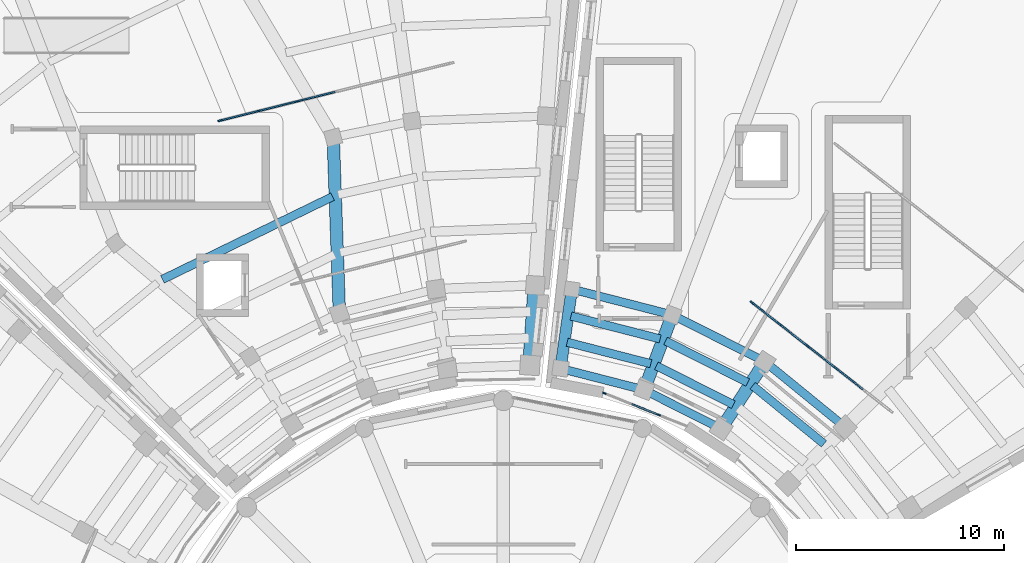
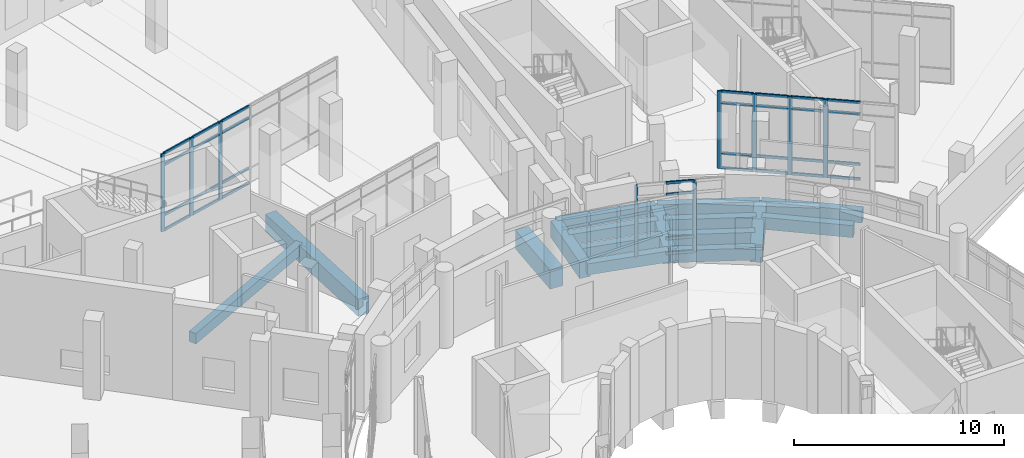
# One storey, part 22 of 75: 41 members, 16 beams, 3 elements without a shape of their own.
"""IFC4 building model written with IfcOpenShell, lengths in metres."""

import ifcopenshell
import ifcopenshell.guid

model = None  # the IFC model being written
_history = None  # IfcOwnerHistory: only IFC2X3 demands one
_inside = {}  # id of a spatial element -> (the spatial element, [elements in it])
_under = {}  # id of a project, library or spatial element -> (it, [spatial elements below it])
_declared = {}  # id of a project -> (the project, [libraries it declares])
_typed = {}  # id of a type object -> (the type object, [elements of that type])
_made_of = {}  # id of a material, layer set ... -> (it, [elements and type objects made of it])


def new_model(schema):
    """Start an empty IFC model of exactly this schema.

    Asked for "IFC4X3", IfcOpenShell would pick the latest addendum, in which some entities
    have other attributes; the version numbers below select the first issue.
    IFC2X3 requires an IfcOwnerHistory on every rooted entity: one is made here for all.
    """
    global model, _history
    if schema == "IFC4X3":
        model = ifcopenshell.file(schema_version=(4, 3, 0, 0))
    else:
        model = ifcopenshell.file(schema=schema)
    _inside.clear()
    _under.clear()
    _declared.clear()
    _typed.clear()
    _made_of.clear()
    _history = None
    if model.schema == "IFC2X3":
        org = make("IfcOrganization", Name="unknown")
        user = make(
            "IfcPersonAndOrganization",
            ThePerson=make("IfcPerson", FamilyName="unknown"),
            TheOrganization=org,
        )
        app = make(
            "IfcApplication",
            ApplicationDeveloper=org,
            Version="unknown",
            ApplicationFullName="unknown",
            ApplicationIdentifier="unknown",
        )
        _history = make(
            "IfcOwnerHistory",
            OwningUser=user,
            OwningApplication=app,
            ChangeAction="ADDED",
            CreationDate=0,
        )
    return model


def make(cls, **values):
    """One entity of the class cls with the attributes given. An attribute that is None is left unset."""
    return model.create_entity(
        cls, **{name: value for name, value in values.items() if value is not None}
    )


def rooted(cls, **values):
    """An entity with a GlobalId (a new one), such as an element, a storey or a relation."""
    return make(cls, GlobalId=ifcopenshell.guid.new(), OwnerHistory=_history, **values)


def si_unit(unit_type, name, prefix=None):
    """IfcSIUnit, for example si_unit("LENGTHUNIT", "METRE", prefix="MILLI")."""
    return make("IfcSIUnit", UnitType=unit_type, Prefix=prefix, Name=name)


def assignment(units):
    """IfcUnitAssignment: the units of a project."""
    return None if units is None else make("IfcUnitAssignment", Units=units)


def point(xyz):
    """IfcCartesianPoint."""
    return None if xyz is None else make("IfcCartesianPoint", Coordinates=xyz)


def direction(xyz):
    """IfcDirection."""
    return None if xyz is None else make("IfcDirection", DirectionRatios=xyz)


def frame(location, z_axis=None, x_axis=None):
    """IfcAxis2Placement3D, a coordinate frame: its origin and axes. An axis left out is left unset."""
    return make(
        "IfcAxis2Placement3D",
        Location=point(location),
        Axis=direction(z_axis),
        RefDirection=direction(x_axis),
    )


def frame_2d(location, x_axis=None):
    """IfcAxis2Placement2D, a coordinate frame in the plane: its origin and x axis."""
    return make(
        "IfcAxis2Placement2D", Location=point(location), RefDirection=direction(x_axis)
    )


def origin():
    """The frame at (0, 0, 0) with its axes left unset."""
    return frame((0.0, 0.0, 0.0))


def origin_2d():
    """The frame at (0, 0) in the plane with its x axis left unset."""
    return frame_2d((0.0, 0.0))


def place(relative_to, where):
    """IfcLocalPlacement: puts the frame where relative to a parent placement (None: the world)."""
    return make(
        "IfcLocalPlacement", PlacementRelTo=relative_to, RelativePlacement=where
    )


def context(
    kind, dimensions, precision=None, world=None, true_north=None, identifier=None
):
    """IfcGeometricRepresentationContext, for example the 3D "Model" context."""
    return make(
        "IfcGeometricRepresentationContext",
        ContextIdentifier=identifier,
        ContextType=kind,
        CoordinateSpaceDimension=dimensions,
        Precision=precision,
        WorldCoordinateSystem=world,
        TrueNorth=true_north,
    )


def subcontext(parent, identifier, kind, view, scale=None):
    """IfcGeometricRepresentationSubContext, for example "Body" below "Model"."""
    return make(
        "IfcGeometricRepresentationSubContext",
        ContextIdentifier=identifier,
        ContextType=kind,
        ParentContext=parent,
        TargetScale=scale,
        TargetView=view,
    )


def project(units=None, contexts=None):
    """IfcProject with its units and contexts."""
    return rooted(
        "IfcProject",
        Name="project",
        RepresentationContexts=contexts,
        UnitsInContext=assignment(units),
    )


def spatial(cls, under=None, at=None, **own):
    """A site, building, storey or space (cls), placed at a placement, below another one or the project."""
    s = rooted(cls, ObjectPlacement=at, **own)
    if under is not None:
        _under.setdefault(under.id(), (under, []))[1].append(s)
    return s


def profile(cls, at=None, kind="AREA", **sizes):
    """A parametric profile (cls). Its sizes go by their IFC names, for example OverallWidth=200.0."""
    return make(cls, ProfileType=kind, Position=at, **sizes)


def rectangle(**sizes):
    """IfcRectangleProfileDef."""
    return profile("IfcRectangleProfileDef", **sizes)


def extrude(swept, where, along, depth):
    """IfcExtrudedAreaSolid: the profile swept, set in the frame where, extruded along a direction by depth."""
    return make(
        "IfcExtrudedAreaSolid",
        SweptArea=swept,
        Position=where,
        ExtrudedDirection=direction(along),
        Depth=depth,
    )


def shape(context_of_items, identifier, shape_type, items):
    """IfcShapeRepresentation: the items that make up one representation, for example the "Body"."""
    return make(
        "IfcShapeRepresentation",
        ContextOfItems=context_of_items,
        RepresentationIdentifier=identifier,
        RepresentationType=shape_type,
        Items=items,
    )


def material(Name=None, Category=None):
    """IfcMaterial."""
    return make("IfcMaterial", Name=Name, Category=Category)


def material_profile(
    of_material, cross_section, Name=None, Category=None, Priority=None
):
    """IfcMaterialProfile: a cross section and its material."""
    return make(
        "IfcMaterialProfile",
        Name=Name,
        Material=of_material,
        Profile=cross_section,
        Priority=Priority,
        Category=Category,
    )


def profile_set(profiles, Name=None, composite=None):
    """IfcMaterialProfileSet."""
    return make(
        "IfcMaterialProfileSet",
        Name=Name,
        MaterialProfiles=profiles,
        CompositeProfile=composite,
    )


def made_of(thing, what):
    """Note that an element or type object is made of a material, layer set ...; save() writes the relation."""
    if what is not None:
        _made_of.setdefault(what.id(), (what, []))[1].append(thing)
    return thing


def type_object(cls, material=None, **own):
    """A type object (cls), such as IfcWallType, which elements share."""
    return made_of(rooted(cls, **own), material)


def element(
    cls,
    number,
    at=None,
    inside=None,
    cuts=None,
    type_object=None,
    material=None,
    context=None,
    identifier="Body",
    shape_type=None,
    held_by="IfcProductDefinitionShape",
    body=None,
    shapes=None,
    **own,
):
    """One element of the class cls, such as IfcWall. Its Tag is "e" and its number.

    at: its placement. inside: the storey or other place that contains it. cuts: it is an
    opening in that element (IfcRelVoidsElement). A single representation is given by context,
    identifier, shape_type and body (its items); several are given by shapes. held_by: the class
    of the entity that holds the representations. save() writes the other relations.
    """
    e = rooted(cls, Tag="e%d" % number, ObjectPlacement=at, **own)
    if body is not None:
        shapes = [shape(context, identifier, shape_type, body)]
    if shapes is not None:
        e.Representation = make(held_by, Representations=shapes)
    if inside is not None:
        _inside.setdefault(inside.id(), (inside, []))[1].append(e)
    if cuts is not None:
        rooted(
            "IfcRelVoidsElement", RelatingBuildingElement=cuts, RelatedOpeningElement=e
        )
    if type_object is not None:
        _typed.setdefault(type_object.id(), (type_object, []))[1].append(e)
    return made_of(e, material)


def aggregate(whole, parts):
    """IfcRelAggregates: a whole, such as a stair, and the parts it consists of."""
    return rooted("IfcRelAggregates", RelatingObject=whole, RelatedObjects=parts)


def save(model, path):
    """Write the relations noted so far, then the file.

    IfcRelAggregates (storeys below a building ...), IfcRelContainedInSpatialStructure (elements
    in a storey), IfcRelDefinesByType, IfcRelAssociatesMaterial and IfcRelDeclares: one each for
    every whole, place, type object, material and project.
    """
    for whole, parts in _under.values():
        aggregate(whole, parts)
    for where, things in _inside.values():
        rooted(
            "IfcRelContainedInSpatialStructure",
            RelatedElements=things,
            RelatingStructure=where,
        )
    for kind, things in _typed.values():
        rooted("IfcRelDefinesByType", RelatedObjects=things, RelatingType=kind)
    for what, things in _made_of.values():
        rooted("IfcRelAssociatesMaterial", RelatedObjects=things, RelatingMaterial=what)
    for by, libraries in _declared.values():
        rooted("IfcRelDeclares", RelatingContext=by, RelatedDefinitions=libraries)
    model.write(path)


model = new_model("IFC4")

# Units and contexts
model_context = context("Model", 3, precision=1e-05, world=origin(), true_north=direction((0.0, 1.0)))
body_context = subcontext(model_context, "Body", "Model", "MODEL_VIEW")
ifc_project = project(units=[si_unit("LENGTHUNIT", "METRE"), si_unit("AREAUNIT", "SQUARE_METRE"), si_unit("VOLUMEUNIT", "CUBIC_METRE"), si_unit("PLANEANGLEUNIT", "RADIAN"), si_unit("MASSUNIT", "GRAM", prefix="KILO")], contexts=[model_context])

# Site, building, storey
site_placement = place(None, origin())
site = spatial("IfcSite", under=ifc_project, at=site_placement, CompositionType="ELEMENT")
building_placement = place(site_placement, origin())
building = spatial("IfcBuilding", under=site, at=building_placement, Name="Soyqirgoq Riverine Aquarium", CompositionType="ELEMENT")
storey_placement = place(building_placement, frame((0.0, 0.0, 10.199951171875)))
storey = spatial("IfcBuildingStorey", under=building, at=storey_placement, Name="L03", CompositionType="ELEMENT", Elevation=10.199951171875)

# Beams
ifc_material_1 = material(Name="Concrete C40/50", Category="concrete")
ifc_material_profile_1 = material_profile(ifc_material_1, rectangle(XDim=0.39990234375, YDim=0.60009765625, at=origin_2d()), Name="RC 400x600")
ifc_profile_set_1 = profile_set([ifc_material_profile_1], Name="Concrete C40/50")
beam_type_1 = type_object("IfcBeamType", Name="Beam_RC_400x600", PredefinedType="JOIST", material=ifc_profile_set_1)
beam_1_placement = place(storey_placement, frame((47.791748046875, 84.25927734375, -0.599853515625), z_axis=(-0.899175148102, -0.437588908722, 0.0), x_axis=(0.437588908722, -0.899175148102, 0.0)))
element("IfcBeam", 1, at=beam_1_placement, inside=storey, type_object=beam_type_1, Name="V4 L03 Secondary Floor Joist 0647", PredefinedType="JOIST", context=body_context, shape_type="SweptSolid", body=[
    extrude(rectangle(XDim=0.39990234375, YDim=0.60009765625, at=origin_2d()), origin(), (0.0, 0.0, 1.0), 9.09521484375),
])
beam_2_placement = place(storey_placement, frame((63.52734375, 77.421630859375, -0.599853515625), z_axis=(-0.968581092825, 0.248697942538, 0.0), x_axis=(-0.248697942538, -0.968581092825, 0.0)))
element("IfcBeam", 2, at=beam_2_placement, inside=storey, type_object=beam_type_1, Name="V5 L03 Secondary Floor Joist 0876", PredefinedType="JOIST", context=body_context, shape_type="SweptSolid", body=[
    extrude(rectangle(XDim=0.39990234375, YDim=0.60009765625, at=origin_2d()), origin(), (0.0, 0.0, 1.0), 4.42431640625),
])
beam_3_placement = place(storey_placement, frame((64.0615234375, 78.588623046875, -0.599853515625), z_axis=(-0.968580462417, 0.248700397717, 0.0), x_axis=(-0.248700397717, -0.968580462417, 0.0)))
element("IfcBeam", 3, at=beam_3_placement, inside=storey, type_object=beam_type_1, Name="V5 L03 Wedge Chord Beam 0880", PredefinedType="JOIST", context=body_context, shape_type="SweptSolid", body=[
    extrude(rectangle(XDim=0.39990234375, YDim=0.60009765625, at=origin_2d()), origin(), (0.0, 0.0, 1.0), 4.87890625),
])
ifc_material_2 = material(Name="Concrete C40/50", Category="concrete")
ifc_material_profile_2 = material_profile(ifc_material_2, rectangle(XDim=0.39990234375, YDim=0.64990234375, at=origin_2d()), Name="RC 400x650")
ifc_profile_set_2 = profile_set([ifc_material_profile_2], Name="Concrete C40/50")
beam_type_2 = type_object("IfcBeamType", Name="Beam_RC_400x650", PredefinedType="BEAM", material=ifc_profile_set_2)
beam_4_placement = place(storey_placement, frame((62.70703125, 74.984619140625, -0.625), z_axis=(-0.968579337856, 0.248704777354, 0.0), x_axis=(-0.248704777354, -0.968579337856, 0.0)))
element("IfcBeam", 4, at=beam_4_placement, inside=storey, type_object=beam_type_2, Name="V5 L03 Wedge Chord Beam 0868", PredefinedType="BEAM", context=body_context, shape_type="SweptSolid", body=[
    extrude(rectangle(XDim=0.39990234375, YDim=0.64990234375, at=origin_2d()), origin(), (0.0, 0.0, 1.0), 4.04736328125),
])
beam_5_placement = place(storey_placement, frame((67.737060546875, 75.3291015625, -0.625), z_axis=(-0.89260992487, 0.450829814923, 0.0), x_axis=(-0.450829814923, -0.89260992487, 0.0)))
element("IfcBeam", 5, at=beam_5_placement, inside=storey, type_object=beam_type_2, Name="V5 L03 Secondary Floor Joist 0874", PredefinedType="BEAM", context=body_context, shape_type="SweptSolid", body=[
    extrude(rectangle(XDim=0.39990234375, YDim=0.64990234375, at=origin_2d()), origin(), (0.0, 0.0, 1.0), 4.42431640625),
])
beam_6_placement = place(storey_placement, frame((63.080322265625, 76.232421875, -0.625), z_axis=(-0.96858651554, 0.24867682223, 0.0), x_axis=(-0.24867682223, -0.96858651554, 0.0)))
element("IfcBeam", 6, at=beam_6_placement, inside=storey, type_object=beam_type_2, Name="V5 L03 Secondary Floor Joist 0875", PredefinedType="BEAM", context=body_context, shape_type="SweptSolid", body=[
    extrude(rectangle(XDim=0.39990234375, YDim=0.64990234375, at=origin_2d()), origin(), (0.0, 0.0, 1.0), 4.14990234375),
])
beam_7_placement = place(storey_placement, frame((68.50927734375, 76.35400390625, -0.625), z_axis=(-0.892588175526, 0.450872874446, 0.0), x_axis=(-0.450872874446, -0.892588175526, 0.0)))
element("IfcBeam", 7, at=beam_7_placement, inside=storey, type_object=beam_type_2, Name="V5 L03 Wedge Chord Beam 0879", PredefinedType="BEAM", context=body_context, shape_type="SweptSolid", body=[
    extrude(rectangle(XDim=0.39990234375, YDim=0.64990234375, at=origin_2d()), origin(), (0.0, 0.0, 1.0), 4.878662109375),
])
ifc_material_3 = material(Name="Concrete C40/50", Category="concrete")
ifc_material_profile_3 = material_profile(ifc_material_3, rectangle(XDim=0.39990234375, YDim=0.699951171875, at=origin_2d()), Name="RC 400x700")
ifc_profile_set_3 = profile_set([ifc_material_profile_3], Name="Concrete C40/50")
beam_type_3 = type_object("IfcBeamType", Name="Beam_RC_400x700", PredefinedType="BEAM", material=ifc_profile_set_3)
beam_8_placement = place(storey_placement, frame((66.41259765625, 73.125, -0.64990234375), z_axis=(-0.892598018236, 0.45085338841, 0.0), x_axis=(-0.45085338841, -0.892598018236, 0.0)))
element("IfcBeam", 8, at=beam_8_placement, inside=storey, type_object=beam_type_3, Name="V5 L03 Wedge Chord Beam 0867", PredefinedType="BEAM", context=body_context, shape_type="SweptSolid", body=[
    extrude(rectangle(XDim=0.39990234375, YDim=0.699951171875, at=origin_2d()), origin(), (0.0, 0.0, 1.0), 4.047119140625),
])
beam_9_placement = place(storey_placement, frame((71.399169921875, 72.381103515625, -0.64990234375), z_axis=(-0.774944675392, 0.632029073763, 0.0), x_axis=(-0.632029073763, -0.774944675392, 0.0)))
element("IfcBeam", 9, at=beam_9_placement, inside=storey, type_object=beam_type_3, Name="V5 L03 Secondary Floor Joist 0872", PredefinedType="BEAM", context=body_context, shape_type="SweptSolid", body=[
    extrude(rectangle(XDim=0.39990234375, YDim=0.699951171875, at=origin_2d()), origin(), (0.0, 0.0, 1.0), 4.424560546875),
])
beam_10_placement = place(storey_placement, frame((67.044921875, 74.263427734375, -0.64990234375), z_axis=(-0.892584129687, 0.45088088386, 0.0), x_axis=(-0.45088088386, -0.892584129687, 0.0)))
element("IfcBeam", 10, at=beam_10_placement, inside=storey, type_object=beam_type_3, Name="V5 L03 Secondary Floor Joist 0873", PredefinedType="BEAM", context=body_context, shape_type="SweptSolid", body=[
    extrude(rectangle(XDim=0.39990234375, YDim=0.699951171875, at=origin_2d()), origin(), (0.0, 0.0, 1.0), 4.14990234375),
])
beam_11_placement = place(storey_placement, frame((72.37353515625, 73.21630859375, -0.64990234375), z_axis=(-0.77496627639, 0.632002587383, 0.0), x_axis=(-0.632002587383, -0.77496627639, 0.0)))
element("IfcBeam", 11, at=beam_11_placement, inside=storey, type_object=beam_type_3, Name="V5 L03 Wedge Chord Beam 0878", PredefinedType="BEAM", context=body_context, shape_type="SweptSolid", body=[
    extrude(rectangle(XDim=0.39990234375, YDim=0.699951171875, at=origin_2d()), origin(), (0.0, 0.0, 1.0), 4.87890625),
])

# Curtain wall, members
ifc_material_4 = material(Name="Anodised aluminium thermally broken double low-E glazing", Category="aluminium")
curtain_wall_type_1 = type_object("IfcCurtainWallType", Name="CW_Wedge_NorthBay", PredefinedType="NOTDEFINED", material=ifc_material_4)
curtain_wall_1_placement = place(storey_placement, origin())
curtain_wall_1 = element("IfcCurtainWall", 12, at=curtain_wall_1_placement, inside=storey, type_object=curtain_wall_type_1, Name="V5 L03 Curtain Wall 097", PredefinedType="NOTDEFINED")
ifc_material_5 = material(Name="Anodised aluminium 6063-T6", Category="aluminium")
ifc_material_profile_4 = material_profile(ifc_material_5, rectangle(XDim=0.06494140625, YDim=0.179931640625, at=origin_2d()), Name="ALU-M 65x180")
ifc_profile_set_4 = profile_set([ifc_material_profile_4], Name="Anodised aluminium 6063-T6")
member_type_1 = type_object("IfcMemberType", Name="CWMullion_65x180", PredefinedType="MULLION", material=ifc_profile_set_4)
member_1_placement = place(storey_placement, frame((63.45654296875, 73.773193359375, 0.0), z_axis=(0.0, 0.0, 1.0), x_axis=(-0.37056928591, -0.928804825752, 0.0)))
member_1 = element("IfcMember", 13, at=member_1_placement, type_object=member_type_1, Name="CW-03 mullion 2", PredefinedType="MULLION", context=body_context, shape_type="SweptSolid", body=[
    extrude(rectangle(XDim=0.06494140625, YDim=0.179931640625, at=origin_2d()), origin(), (0.0, 0.0, 1.0), 4.170166015625),
])
member_2_placement = place(storey_placement, frame((60.847900390625, 74.81396484375, 0.0), z_axis=(0.0, 0.0, 1.0), x_axis=(-0.37056928591, -0.928804825752, 0.0)))
member_2 = element("IfcMember", 14, at=member_2_placement, type_object=member_type_1, Name="CW-03 mullion 4", PredefinedType="MULLION", context=body_context, shape_type="SweptSolid", body=[
    extrude(rectangle(XDim=0.06494140625, YDim=0.179931640625, at=origin_2d()), origin(), (0.0, 0.0, 1.0), 4.170166015625),
])

ifc_material_6 = material(Name="Cast polymethyl methacrylate PMMA Habitat Viewing Glazing", Category="glass")
curtain_wall_type_2 = type_object("IfcCurtainWallType", Name="CW_Interior_TankVitrine", PredefinedType="NOTDEFINED", material=ifc_material_6)
curtain_wall_2_placement = place(storey_placement, origin())
curtain_wall_2 = element("IfcCurtainWall", 15, at=curtain_wall_2_placement, inside=storey, type_object=curtain_wall_type_2, Name="V4 L03 Curtain Wall 156", PredefinedType="NOTDEFINED")
ifc_material_7 = material(Name="Anodised aluminium 6063-T6", Category="aluminium")
ifc_material_profile_5 = material_profile(ifc_material_7, rectangle(XDim=0.080078125, YDim=0.219970703125, at=origin_2d()), Name="ALU-M 80x220")
ifc_profile_set_5 = profile_set([ifc_material_profile_5], Name="Anodised aluminium 6063-T6")
member_type_2 = type_object("IfcMemberType", Name="CWMullion_80x220", PredefinedType="MULLION", material=ifc_profile_set_5)
member_3_placement = place(storey_placement, frame((46.081298828125, 88.83251953125, 0.0), z_axis=(0.0, 0.0, 1.0), x_axis=(0.241925862079, -0.970294737313, 0.0)))
member_3 = element("IfcMember", 16, at=member_3_placement, type_object=member_type_2, Name="CW-07 mullion 5", PredefinedType="MULLION", context=body_context, shape_type="SweptSolid", body=[
    extrude(rectangle(XDim=0.080078125, YDim=0.219970703125, at=origin_2d()), origin(), (0.0, 0.0, 1.0), 4.52001953125),
])
member_4_placement = place(storey_placement, frame((44.21533203125, 88.3671875, 0.0), z_axis=(0.0, 0.0, 1.0), x_axis=(0.241925862079, -0.970294737313, 0.0)))
member_4 = element("IfcMember", 17, at=member_4_placement, type_object=member_type_2, Name="CW-07 mullion 6", PredefinedType="MULLION", context=body_context, shape_type="SweptSolid", body=[
    extrude(rectangle(XDim=0.080078125, YDim=0.219970703125, at=origin_2d()), origin(), (0.0, 0.0, 1.0), 4.52001953125),
])
member_5_placement = place(storey_placement, frame((42.38818359375, 87.91162109375, 0.0), z_axis=(0.0, 0.0, 1.0), x_axis=(0.241925862079, -0.970294737313, 0.0)))
member_5 = element("IfcMember", 18, at=member_5_placement, type_object=member_type_2, Name="CW-07 mullion 7", PredefinedType="MULLION", context=body_context, shape_type="SweptSolid", body=[
    extrude(rectangle(XDim=0.080078125, YDim=0.219970703125, at=origin_2d()), origin(), (0.0, 0.0, 1.0), 4.52001953125),
])

curtain_wall_3_placement = place(storey_placement, origin())
curtain_wall_3 = element("IfcCurtainWall", 19, at=curtain_wall_3_placement, inside=storey, type_object=curtain_wall_type_2, Name="V5 L03 Curtain Wall 161", PredefinedType="NOTDEFINED")
member_6_placement = place(storey_placement, frame((71.952880859375, 76.02978515625, 0.0), z_axis=(0.0, 0.0, 1.0), x_axis=(-0.615661060826, -0.788011077449, 0.0)))
member_6 = element("IfcMember", 20, at=member_6_placement, type_object=member_type_2, Name="CW-07 mullion 3", PredefinedType="MULLION", context=body_context, shape_type="SweptSolid", body=[
    extrude(rectangle(XDim=0.080078125, YDim=0.219970703125, at=origin_2d()), origin(), (0.0, 0.0, 1.0), 4.52001953125),
])
member_7_placement = place(storey_placement, frame((70.60498046875, 77.082763671875, 0.0), z_axis=(0.0, 0.0, 1.0), x_axis=(-0.615661060826, -0.788011077449, 0.0)))
member_7 = element("IfcMember", 21, at=member_7_placement, type_object=member_type_2, Name="CW-07 mullion 4", PredefinedType="MULLION", context=body_context, shape_type="SweptSolid", body=[
    extrude(rectangle(XDim=0.080078125, YDim=0.219970703125, at=origin_2d()), origin(), (0.0, 0.0, 1.0), 4.52001953125),
])
member_8_placement = place(storey_placement, frame((69.25732421875, 78.1357421875, 0.0), z_axis=(0.0, 0.0, 1.0), x_axis=(-0.615661060826, -0.788011077449, 0.0)))
member_8 = element("IfcMember", 22, at=member_8_placement, type_object=member_type_2, Name="CW-07 mullion 5", PredefinedType="MULLION", context=body_context, shape_type="SweptSolid", body=[
    extrude(rectangle(XDim=0.080078125, YDim=0.219970703125, at=origin_2d()), origin(), (0.0, 0.0, 1.0), 4.52001953125),
])
member_9_placement = place(storey_placement, frame((67.94091796875, 79.1640625, 0.0), z_axis=(0.0, 0.0, 1.0), x_axis=(-0.615661060826, -0.788011077449, 0.0)))
member_9 = element("IfcMember", 23, at=member_9_placement, type_object=member_type_2, Name="CW-07 mullion 6", PredefinedType="MULLION", context=body_context, shape_type="SweptSolid", body=[
    extrude(rectangle(XDim=0.080078125, YDim=0.219970703125, at=origin_2d()), origin(), (0.0, 0.0, 1.0), 4.52001953125),
])

# Member
ifc_material_8 = material(Name="Anodised aluminium 6063-T6", Category="aluminium")
ifc_material_profile_6 = material_profile(ifc_material_8, rectangle(XDim=0.074951171875, YDim=0.14990234375, at=origin_2d()), Name="ALU-T 75x150")
ifc_profile_set_6 = profile_set([ifc_material_profile_6], Name="Anodised aluminium 6063-T6")
member_type_3 = type_object("IfcMemberType", Name="CWTransom_75x150", PredefinedType="USERDEFINED", material=ifc_profile_set_6)
member_10_placement = place(storey_placement, frame((63.42626953125, 73.78515625, 0.03759765625), z_axis=(-0.928774487965, 0.370645316314, 0.0), x_axis=(-0.370645316314, -0.928774487965, 0.0)))
member_10 = element("IfcMember", 24, at=member_10_placement, type_object=member_type_3, Name="CW-03 transom 2.1", ObjectType="TRANSOM", PredefinedType="USERDEFINED", context=body_context, shape_type="SweptSolid", body=[
    extrude(rectangle(XDim=0.074951171875, YDim=0.14990234375, at=origin_2d()), origin(), (0.0, 0.0, 1.0), 1.35546875),
])

member_11_placement = place(storey_placement, frame((63.42626953125, 73.78515625, 0.900146484375), z_axis=(-0.928774487965, 0.370645316314, 0.0), x_axis=(-0.370645316314, -0.928774487965, 0.0)))
member_11 = element("IfcMember", 25, at=member_11_placement, type_object=member_type_3, Name="CW-03 transom 2.2", ObjectType="TRANSOM", PredefinedType="USERDEFINED", context=body_context, shape_type="SweptSolid", body=[
    extrude(rectangle(XDim=0.074951171875, YDim=0.14990234375, at=origin_2d()), origin(), (0.0, 0.0, 1.0), 1.35546875),
])

member_12_placement = place(storey_placement, frame((63.42626953125, 73.78515625, 3.469970703125), z_axis=(-0.928774487965, 0.370645316314, 0.0), x_axis=(-0.370645316314, -0.928774487965, 0.0)))
member_12 = element("IfcMember", 26, at=member_12_placement, type_object=member_type_3, Name="CW-03 transom 2.3", ObjectType="TRANSOM", PredefinedType="USERDEFINED", context=body_context, shape_type="SweptSolid", body=[
    extrude(rectangle(XDim=0.074951171875, YDim=0.14990234375, at=origin_2d()), origin(), (0.0, 0.0, 1.0), 1.35546875),
])

member_13_placement = place(storey_placement, frame((63.42626953125, 73.78515625, 4.132568359375), z_axis=(-0.928774487965, 0.370645316314, 0.0), x_axis=(-0.370645316314, -0.928774487965, 0.0)))
member_13 = element("IfcMember", 27, at=member_13_placement, type_object=member_type_3, Name="CW-03 transom 2.4", ObjectType="TRANSOM", PredefinedType="USERDEFINED", context=body_context, shape_type="SweptSolid", body=[
    extrude(rectangle(XDim=0.074951171875, YDim=0.14990234375, at=origin_2d()), origin(), (0.0, 0.0, 1.0), 1.35546875),
])

aggregate(curtain_wall_1, [member_1, member_2, member_10, member_11, member_12, member_13])

member_14_placement = place(storey_placement, frame((47.908447265625, 89.2880859375, 0.03759765625), z_axis=(-0.970305912546, -0.241881037039, 0.0), x_axis=(0.241881037039, -0.970305912546, 0.0)))
member_14 = element("IfcMember", 28, at=member_14_placement, type_object=member_type_3, Name="CW-07 transom 4.1", ObjectType="TRANSOM", PredefinedType="USERDEFINED", context=body_context, shape_type="SweptSolid", body=[
    extrude(rectangle(XDim=0.074951171875, YDim=0.14990234375, at=origin_2d()), origin(), (0.0, 0.0, 1.0), 1.843017578125),
])

member_15_placement = place(storey_placement, frame((47.908447265625, 89.2880859375, 0.900146484375), z_axis=(-0.970305912546, -0.241881037039, 0.0), x_axis=(0.241881037039, -0.970305912546, 0.0)))
member_15 = element("IfcMember", 29, at=member_15_placement, type_object=member_type_3, Name="CW-07 transom 4.2", ObjectType="TRANSOM", PredefinedType="USERDEFINED", context=body_context, shape_type="SweptSolid", body=[
    extrude(rectangle(XDim=0.074951171875, YDim=0.14990234375, at=origin_2d()), origin(), (0.0, 0.0, 1.0), 1.843017578125),
])

member_16_placement = place(storey_placement, frame((47.908447265625, 89.2880859375, 3.820068359375), z_axis=(-0.970305912546, -0.241881037039, 0.0), x_axis=(0.241881037039, -0.970305912546, 0.0)))
member_16 = element("IfcMember", 30, at=member_16_placement, type_object=member_type_3, Name="CW-07 transom 4.3", ObjectType="TRANSOM", PredefinedType="USERDEFINED", context=body_context, shape_type="SweptSolid", body=[
    extrude(rectangle(XDim=0.074951171875, YDim=0.14990234375, at=origin_2d()), origin(), (0.0, 0.0, 1.0), 1.843017578125),
])

member_17_placement = place(storey_placement, frame((47.908447265625, 89.2880859375, 4.482666015625), z_axis=(-0.970305912546, -0.241881037039, 0.0), x_axis=(0.241881037039, -0.970305912546, 0.0)))
member_17 = element("IfcMember", 31, at=member_17_placement, type_object=member_type_3, Name="CW-07 transom 4.4", ObjectType="TRANSOM", PredefinedType="USERDEFINED", context=body_context, shape_type="SweptSolid", body=[
    extrude(rectangle(XDim=0.074951171875, YDim=0.14990234375, at=origin_2d()), origin(), (0.0, 0.0, 1.0), 1.843017578125),
])

member_18_placement = place(storey_placement, frame((46.04248046875, 88.82275390625, 0.03759765625), z_axis=(-0.970305912546, -0.241881037039, 0.0), x_axis=(0.241881037039, -0.970305912546, 0.0)))
member_18 = element("IfcMember", 32, at=member_18_placement, type_object=member_type_3, Name="CW-07 transom 5.1", ObjectType="TRANSOM", PredefinedType="USERDEFINED", context=body_context, shape_type="SweptSolid", body=[
    extrude(rectangle(XDim=0.074951171875, YDim=0.14990234375, at=origin_2d()), origin(), (0.0, 0.0, 1.0), 1.843017578125),
])

member_19_placement = place(storey_placement, frame((46.04248046875, 88.82275390625, 0.900146484375), z_axis=(-0.970305912546, -0.241881037039, 0.0), x_axis=(0.241881037039, -0.970305912546, 0.0)))
member_19 = element("IfcMember", 33, at=member_19_placement, type_object=member_type_3, Name="CW-07 transom 5.2", ObjectType="TRANSOM", PredefinedType="USERDEFINED", context=body_context, shape_type="SweptSolid", body=[
    extrude(rectangle(XDim=0.074951171875, YDim=0.14990234375, at=origin_2d()), origin(), (0.0, 0.0, 1.0), 1.843017578125),
])

member_20_placement = place(storey_placement, frame((46.04248046875, 88.82275390625, 3.820068359375), z_axis=(-0.970305912546, -0.241881037039, 0.0), x_axis=(0.241881037039, -0.970305912546, 0.0)))
member_20 = element("IfcMember", 34, at=member_20_placement, type_object=member_type_3, Name="CW-07 transom 5.3", ObjectType="TRANSOM", PredefinedType="USERDEFINED", context=body_context, shape_type="SweptSolid", body=[
    extrude(rectangle(XDim=0.074951171875, YDim=0.14990234375, at=origin_2d()), origin(), (0.0, 0.0, 1.0), 1.843017578125),
])

member_21_placement = place(storey_placement, frame((46.04248046875, 88.82275390625, 4.482666015625), z_axis=(-0.970305912546, -0.241881037039, 0.0), x_axis=(0.241881037039, -0.970305912546, 0.0)))
member_21 = element("IfcMember", 35, at=member_21_placement, type_object=member_type_3, Name="CW-07 transom 5.4", ObjectType="TRANSOM", PredefinedType="USERDEFINED", context=body_context, shape_type="SweptSolid", body=[
    extrude(rectangle(XDim=0.074951171875, YDim=0.14990234375, at=origin_2d()), origin(), (0.0, 0.0, 1.0), 1.843017578125),
])

member_22_placement = place(storey_placement, frame((44.176513671875, 88.357666015625, 0.03759765625), z_axis=(-0.970285696734, -0.241962118345, 0.0), x_axis=(0.241962118345, -0.970285696734, 0.0)))
member_22 = element("IfcMember", 36, at=member_22_placement, type_object=member_type_3, Name="CW-07 transom 6.1", ObjectType="TRANSOM", PredefinedType="USERDEFINED", context=body_context, shape_type="SweptSolid", body=[
    extrude(rectangle(XDim=0.074951171875, YDim=0.14990234375, at=origin_2d()), origin(), (0.0, 0.0, 1.0), 1.802978515625),
])

member_23_placement = place(storey_placement, frame((44.176513671875, 88.357666015625, 0.900146484375), z_axis=(-0.970285696734, -0.241962118345, 0.0), x_axis=(0.241962118345, -0.970285696734, 0.0)))
member_23 = element("IfcMember", 37, at=member_23_placement, type_object=member_type_3, Name="CW-07 transom 6.2", ObjectType="TRANSOM", PredefinedType="USERDEFINED", context=body_context, shape_type="SweptSolid", body=[
    extrude(rectangle(XDim=0.074951171875, YDim=0.14990234375, at=origin_2d()), origin(), (0.0, 0.0, 1.0), 1.802978515625),
])

member_24_placement = place(storey_placement, frame((44.176513671875, 88.357666015625, 3.820068359375), z_axis=(-0.970285696734, -0.241962118345, 0.0), x_axis=(0.241962118345, -0.970285696734, 0.0)))
member_24 = element("IfcMember", 38, at=member_24_placement, type_object=member_type_3, Name="CW-07 transom 6.3", ObjectType="TRANSOM", PredefinedType="USERDEFINED", context=body_context, shape_type="SweptSolid", body=[
    extrude(rectangle(XDim=0.074951171875, YDim=0.14990234375, at=origin_2d()), origin(), (0.0, 0.0, 1.0), 1.802978515625),
])

member_25_placement = place(storey_placement, frame((44.176513671875, 88.357666015625, 4.482666015625), z_axis=(-0.970285696734, -0.241962118345, 0.0), x_axis=(0.241962118345, -0.970285696734, 0.0)))
member_25 = element("IfcMember", 39, at=member_25_placement, type_object=member_type_3, Name="CW-07 transom 6.4", ObjectType="TRANSOM", PredefinedType="USERDEFINED", context=body_context, shape_type="SweptSolid", body=[
    extrude(rectangle(XDim=0.074951171875, YDim=0.14990234375, at=origin_2d()), origin(), (0.0, 0.0, 1.0), 1.802978515625),
])

aggregate(curtain_wall_2, [member_3, member_4, member_5, member_14, member_15, member_16, member_17, member_18, member_19, member_20, member_21, member_22, member_23, member_24, member_25])

member_26_placement = place(storey_placement, frame((73.26904296875, 75.001220703125, 0.03759765625), z_axis=(-0.787947180465, 0.615742836578, 0.0), x_axis=(-0.615742836578, -0.787947180465, 0.0)))
member_26 = element("IfcMember", 40, at=member_26_placement, type_object=member_type_3, Name="CW-07 transom 2.1", ObjectType="TRANSOM", PredefinedType="USERDEFINED", context=body_context, shape_type="SweptSolid", body=[
    extrude(rectangle(XDim=0.074951171875, YDim=0.14990234375, at=origin_2d()), origin(), (0.0, 0.0, 1.0), 1.63037109375),
])

member_27_placement = place(storey_placement, frame((73.26904296875, 75.001220703125, 0.900146484375), z_axis=(-0.787947180465, 0.615742836578, 0.0), x_axis=(-0.615742836578, -0.787947180465, 0.0)))
member_27 = element("IfcMember", 41, at=member_27_placement, type_object=member_type_3, Name="CW-07 transom 2.2", ObjectType="TRANSOM", PredefinedType="USERDEFINED", context=body_context, shape_type="SweptSolid", body=[
    extrude(rectangle(XDim=0.074951171875, YDim=0.14990234375, at=origin_2d()), origin(), (0.0, 0.0, 1.0), 1.63037109375),
])

member_28_placement = place(storey_placement, frame((73.26904296875, 75.001220703125, 3.820068359375), z_axis=(-0.787947180465, 0.615742836578, 0.0), x_axis=(-0.615742836578, -0.787947180465, 0.0)))
member_28 = element("IfcMember", 42, at=member_28_placement, type_object=member_type_3, Name="CW-07 transom 2.3", ObjectType="TRANSOM", PredefinedType="USERDEFINED", context=body_context, shape_type="SweptSolid", body=[
    extrude(rectangle(XDim=0.074951171875, YDim=0.14990234375, at=origin_2d()), origin(), (0.0, 0.0, 1.0), 1.63037109375),
])

member_29_placement = place(storey_placement, frame((73.26904296875, 75.001220703125, 4.482666015625), z_axis=(-0.787947180465, 0.615742836578, 0.0), x_axis=(-0.615742836578, -0.787947180465, 0.0)))
member_29 = element("IfcMember", 43, at=member_29_placement, type_object=member_type_3, Name="CW-07 transom 2.4", ObjectType="TRANSOM", PredefinedType="USERDEFINED", context=body_context, shape_type="SweptSolid", body=[
    extrude(rectangle(XDim=0.074951171875, YDim=0.14990234375, at=origin_2d()), origin(), (0.0, 0.0, 1.0), 1.63037109375),
])

member_30_placement = place(storey_placement, frame((71.92138671875, 76.054443359375, 0.03759765625), z_axis=(-0.788076584323, 0.615577206565, 0.0), x_axis=(-0.615577206565, -0.788076584323, 0.0)))
member_30 = element("IfcMember", 44, at=member_30_placement, type_object=member_type_3, Name="CW-07 transom 3.1", ObjectType="TRANSOM", PredefinedType="USERDEFINED", context=body_context, shape_type="SweptSolid", body=[
    extrude(rectangle(XDim=0.074951171875, YDim=0.14990234375, at=origin_2d()), origin(), (0.0, 0.0, 1.0), 1.63037109375),
])

member_31_placement = place(storey_placement, frame((71.92138671875, 76.054443359375, 0.900146484375), z_axis=(-0.788076584323, 0.615577206565, 0.0), x_axis=(-0.615577206565, -0.788076584323, 0.0)))
member_31 = element("IfcMember", 45, at=member_31_placement, type_object=member_type_3, Name="CW-07 transom 3.2", ObjectType="TRANSOM", PredefinedType="USERDEFINED", context=body_context, shape_type="SweptSolid", body=[
    extrude(rectangle(XDim=0.074951171875, YDim=0.14990234375, at=origin_2d()), origin(), (0.0, 0.0, 1.0), 1.63037109375),
])

member_32_placement = place(storey_placement, frame((71.92138671875, 76.054443359375, 3.820068359375), z_axis=(-0.788076584323, 0.615577206565, 0.0), x_axis=(-0.615577206565, -0.788076584323, 0.0)))
member_32 = element("IfcMember", 46, at=member_32_placement, type_object=member_type_3, Name="CW-07 transom 3.3", ObjectType="TRANSOM", PredefinedType="USERDEFINED", context=body_context, shape_type="SweptSolid", body=[
    extrude(rectangle(XDim=0.074951171875, YDim=0.14990234375, at=origin_2d()), origin(), (0.0, 0.0, 1.0), 1.63037109375),
])

member_33_placement = place(storey_placement, frame((71.92138671875, 76.054443359375, 4.482666015625), z_axis=(-0.788076584323, 0.615577206565, 0.0), x_axis=(-0.615577206565, -0.788076584323, 0.0)))
member_33 = element("IfcMember", 47, at=member_33_placement, type_object=member_type_3, Name="CW-07 transom 3.4", ObjectType="TRANSOM", PredefinedType="USERDEFINED", context=body_context, shape_type="SweptSolid", body=[
    extrude(rectangle(XDim=0.074951171875, YDim=0.14990234375, at=origin_2d()), origin(), (0.0, 0.0, 1.0), 1.63037109375),
])

member_34_placement = place(storey_placement, frame((70.573486328125, 77.107421875, 0.03759765625), z_axis=(-0.788019832869, 0.615649854223, 0.0), x_axis=(-0.615649854223, -0.788019832869, 0.0)))
member_34 = element("IfcMember", 48, at=member_34_placement, type_object=member_type_3, Name="CW-07 transom 4.1", ObjectType="TRANSOM", PredefinedType="USERDEFINED", context=body_context, shape_type="SweptSolid", body=[
    extrude(rectangle(XDim=0.074951171875, YDim=0.14990234375, at=origin_2d()), origin(), (0.0, 0.0, 1.0), 1.630126953125),
])

member_35_placement = place(storey_placement, frame((70.573486328125, 77.107421875, 0.900146484375), z_axis=(-0.788019832869, 0.615649854223, 0.0), x_axis=(-0.615649854223, -0.788019832869, 0.0)))
member_35 = element("IfcMember", 49, at=member_35_placement, type_object=member_type_3, Name="CW-07 transom 4.2", ObjectType="TRANSOM", PredefinedType="USERDEFINED", context=body_context, shape_type="SweptSolid", body=[
    extrude(rectangle(XDim=0.074951171875, YDim=0.14990234375, at=origin_2d()), origin(), (0.0, 0.0, 1.0), 1.630126953125),
])

member_36_placement = place(storey_placement, frame((70.573486328125, 77.107421875, 3.820068359375), z_axis=(-0.788019832869, 0.615649854223, 0.0), x_axis=(-0.615649854223, -0.788019832869, 0.0)))
member_36 = element("IfcMember", 50, at=member_36_placement, type_object=member_type_3, Name="CW-07 transom 4.3", ObjectType="TRANSOM", PredefinedType="USERDEFINED", context=body_context, shape_type="SweptSolid", body=[
    extrude(rectangle(XDim=0.074951171875, YDim=0.14990234375, at=origin_2d()), origin(), (0.0, 0.0, 1.0), 1.630126953125),
])

member_37_placement = place(storey_placement, frame((70.573486328125, 77.107421875, 4.482666015625), z_axis=(-0.788019832869, 0.615649854223, 0.0), x_axis=(-0.615649854223, -0.788019832869, 0.0)))
member_37 = element("IfcMember", 51, at=member_37_placement, type_object=member_type_3, Name="CW-07 transom 4.4", ObjectType="TRANSOM", PredefinedType="USERDEFINED", context=body_context, shape_type="SweptSolid", body=[
    extrude(rectangle(XDim=0.074951171875, YDim=0.14990234375, at=origin_2d()), origin(), (0.0, 0.0, 1.0), 1.630126953125),
])

member_38_placement = place(storey_placement, frame((69.225830078125, 78.160400390625, 0.03759765625), z_axis=(-0.788036011203, 0.615629145709, 0.0), x_axis=(-0.615629145709, -0.788036011203, 0.0)))
member_38 = element("IfcMember", 52, at=member_38_placement, type_object=member_type_3, Name="CW-07 transom 5.1", ObjectType="TRANSOM", PredefinedType="USERDEFINED", context=body_context, shape_type="SweptSolid", body=[
    extrude(rectangle(XDim=0.074951171875, YDim=0.14990234375, at=origin_2d()), origin(), (0.0, 0.0, 1.0), 1.59033203125),
])

member_39_placement = place(storey_placement, frame((69.225830078125, 78.160400390625, 0.900146484375), z_axis=(-0.788036011203, 0.615629145709, 0.0), x_axis=(-0.615629145709, -0.788036011203, 0.0)))
member_39 = element("IfcMember", 53, at=member_39_placement, type_object=member_type_3, Name="CW-07 transom 5.2", ObjectType="TRANSOM", PredefinedType="USERDEFINED", context=body_context, shape_type="SweptSolid", body=[
    extrude(rectangle(XDim=0.074951171875, YDim=0.14990234375, at=origin_2d()), origin(), (0.0, 0.0, 1.0), 1.59033203125),
])

member_40_placement = place(storey_placement, frame((69.225830078125, 78.160400390625, 3.820068359375), z_axis=(-0.788036011203, 0.615629145709, 0.0), x_axis=(-0.615629145709, -0.788036011203, 0.0)))
member_40 = element("IfcMember", 54, at=member_40_placement, type_object=member_type_3, Name="CW-07 transom 5.3", ObjectType="TRANSOM", PredefinedType="USERDEFINED", context=body_context, shape_type="SweptSolid", body=[
    extrude(rectangle(XDim=0.074951171875, YDim=0.14990234375, at=origin_2d()), origin(), (0.0, 0.0, 1.0), 1.59033203125),
])

member_41_placement = place(storey_placement, frame((69.225830078125, 78.160400390625, 4.482666015625), z_axis=(-0.788036011203, 0.615629145709, 0.0), x_axis=(-0.615629145709, -0.788036011203, 0.0)))
member_41 = element("IfcMember", 55, at=member_41_placement, type_object=member_type_3, Name="CW-07 transom 5.4", ObjectType="TRANSOM", PredefinedType="USERDEFINED", context=body_context, shape_type="SweptSolid", body=[
    extrude(rectangle(XDim=0.074951171875, YDim=0.14990234375, at=origin_2d()), origin(), (0.0, 0.0, 1.0), 1.59033203125),
])

aggregate(curtain_wall_3, [member_6, member_7, member_8, member_9, member_26, member_27, member_28, member_29, member_30, member_31, member_32, member_33, member_34, member_35, member_36, member_37, member_38, member_39, member_40, member_41])

# Beams
ifc_material_9 = material(Name="Concrete C40/50", Category="concrete")
ifc_material_profile_7 = material_profile(ifc_material_9, rectangle(XDim=0.550048828125, YDim=0.949951171875, at=origin_2d()), Name="RC 550x950")
ifc_profile_set_7 = profile_set([ifc_material_profile_7], Name="Concrete C40/50")
beam_type_4 = type_object("IfcBeamType", Name="Girder_RC_550x950", PredefinedType="BEAM", material=ifc_profile_set_7)
beam_12_placement = place(storey_placement, frame((58.74560546875, 76.05322265625, -0.77490234375), z_axis=(0.142642597363, 0.989774261848, 0.0), x_axis=(-0.989774261848, 0.142642597363, 0.0)))
element("IfcBeam", 56, at=beam_12_placement, inside=storey, type_object=beam_type_4, Name="V5 L03 Wedge Radial Girder 0863", PredefinedType="BEAM", context=body_context, shape_type="SweptSolid", body=[
    extrude(rectangle(XDim=0.550048828125, YDim=0.949951171875, at=origin_2d()), origin(), (0.0, 0.0, 1.0), 3.75),
])
ifc_material_10 = material(Name="Concrete C40/50", Category="concrete")
ifc_material_profile_8 = material_profile(ifc_material_10, rectangle(XDim=0.60009765625, YDim=1.0, at=origin_2d()), Name="RC 600x1000")
ifc_profile_set_8 = profile_set([ifc_material_profile_8], Name="Concrete C40/50")
beam_type_5 = type_object("IfcBeamType", Name="Girder_RC_600x1000", PredefinedType="BEAM", material=ifc_profile_set_8)
beam_13_placement = place(storey_placement, frame((48.114501953125, 78.7099609375, -0.800048828125), z_axis=(-0.035070236871, 0.999384850038, 0.0), x_axis=(-0.999384850038, -0.035070236871, 0.0)))
element("IfcBeam", 57, at=beam_13_placement, inside=storey, type_object=beam_type_5, Name="V4 L03 Wedge Radial Girder 0615", PredefinedType="BEAM", context=body_context, shape_type="SweptSolid", body=[
    extrude(rectangle(XDim=0.60009765625, YDim=1.0, at=origin_2d()), origin(), (0.0, 0.0, 1.0), 8.353759765625),
])
beam_14_placement = place(storey_placement, frame((66.484375, 73.144287109375, -0.800048828125), z_axis=(0.544578680372, 0.838709759621, 0.0), x_axis=(-0.838709759621, 0.544578680372, 0.0)))
element("IfcBeam", 58, at=beam_14_placement, inside=storey, type_object=beam_type_5, Name="V5 L03 Wedge Radial Girder 0858", PredefinedType="BEAM", context=body_context, shape_type="SweptSolid", body=[
    extrude(rectangle(XDim=0.60009765625, YDim=1.0, at=origin_2d()), origin(), (0.0, 0.0, 1.0), 3.75),
])
ifc_material_11 = material(Name="Concrete C40/50", Category="concrete")
ifc_material_profile_9 = material_profile(ifc_material_11, rectangle(XDim=0.60009765625, YDim=0.89990234375, at=origin_2d()), Name="RC 600x900")
ifc_profile_set_9 = profile_set([ifc_material_profile_9], Name="Concrete C40/50")
beam_type_6 = type_object("IfcBeamType", Name="Girder_RC_600x900", PredefinedType="BEAM", material=ifc_profile_set_9)
beam_15_placement = place(storey_placement, frame((62.77294921875, 75.01904296875, -0.75), z_axis=(0.351822543862, 0.936066716442, 0.0), x_axis=(-0.936066716442, 0.351822543862, 0.0)))
element("IfcBeam", 59, at=beam_15_placement, inside=storey, type_object=beam_type_6, Name="V5 L03 Wedge Radial Girder 0860", PredefinedType="BEAM", context=body_context, shape_type="SweptSolid", body=[
    extrude(rectangle(XDim=0.60009765625, YDim=0.89990234375, at=origin_2d()), origin(), (0.0, 0.0, 1.0), 3.75),
])
ifc_material_12 = material(Name="Concrete C40/50", Category="concrete")
ifc_material_profile_10 = material_profile(ifc_material_12, rectangle(XDim=0.699951171875, YDim=1.10009765625, at=origin_2d()), Name="RC 700x1100")
ifc_profile_set_10 = profile_set([ifc_material_profile_10], Name="Concrete C40/50")
beam_type_7 = type_object("IfcBeamType", Name="Girder_RC_700x1100", PredefinedType="BEAM", material=ifc_profile_set_10)
beam_16_placement = place(storey_placement, frame((57.27587890625, 76.207763671875, -0.849853515625), z_axis=(0.066277024889, 0.997801260759, 0.0), x_axis=(-0.997801260759, 0.066277024889, 0.0)))
element("IfcBeam", 60, at=beam_16_placement, inside=storey, type_object=beam_type_7, Name="V4 L03 Wedge Radial Girder 0606", PredefinedType="BEAM", context=body_context, shape_type="SweptSolid", body=[
    extrude(rectangle(XDim=0.699951171875, YDim=1.10009765625, at=origin_2d()), origin(), (0.0, 0.0, 1.0), 3.75),
])

save(model, "model.ifc")
